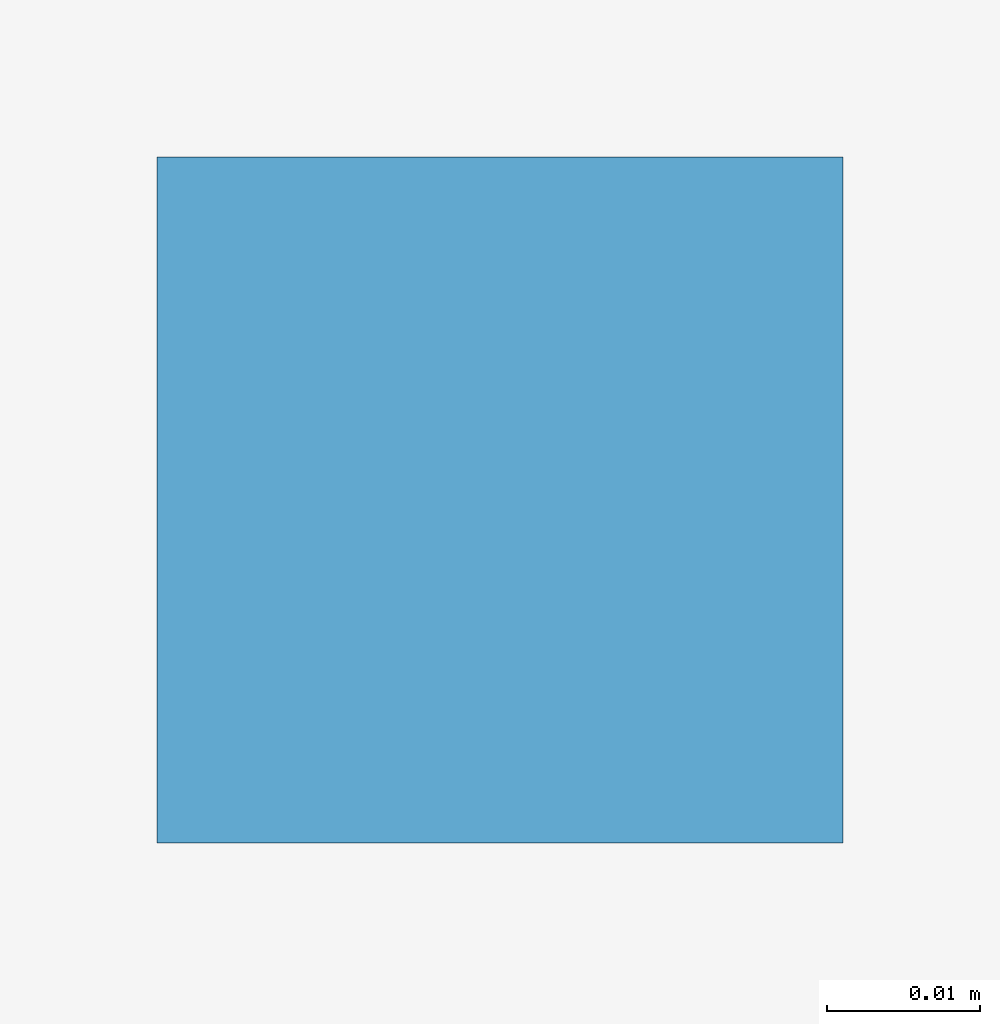
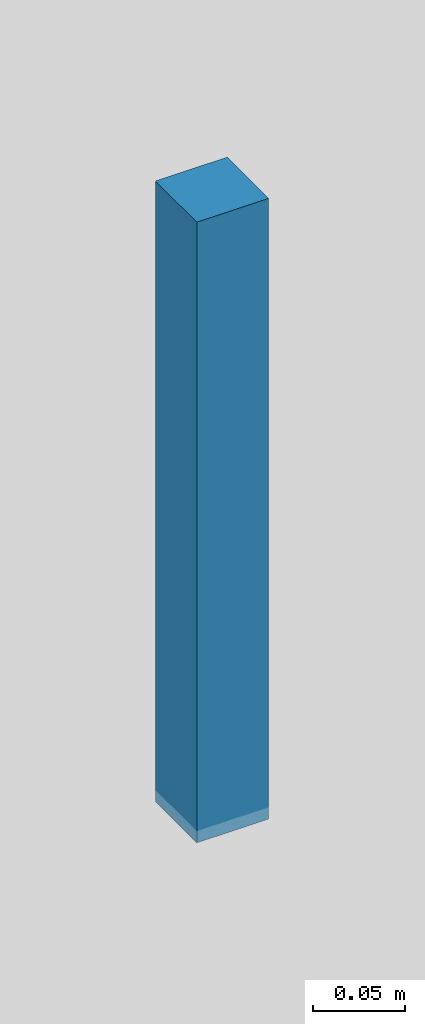
# One storey, part 70 of 85: 1 discrete accessory.
"""IFC4 building model written with IfcOpenShell, lengths in metres."""

import ifcopenshell
import ifcopenshell.guid

model = None  # the IFC model being written
_history = None  # IfcOwnerHistory: only IFC2X3 demands one
_inside = {}  # id of a spatial element -> (the spatial element, [elements in it])
_under = {}  # id of a project, library or spatial element -> (it, [spatial elements below it])
_declared = {}  # id of a project -> (the project, [libraries it declares])
_typed = {}  # id of a type object -> (the type object, [elements of that type])
_made_of = {}  # id of a material, layer set ... -> (it, [elements and type objects made of it])


def new_model(schema):
    """Start an empty IFC model of exactly this schema.

    Asked for "IFC4X3", IfcOpenShell would pick the latest addendum, in which some entities
    have other attributes; the version numbers below select the first issue.
    IFC2X3 requires an IfcOwnerHistory on every rooted entity: one is made here for all.
    """
    global model, _history
    if schema == "IFC4X3":
        model = ifcopenshell.file(schema_version=(4, 3, 0, 0))
    else:
        model = ifcopenshell.file(schema=schema)
    _inside.clear()
    _under.clear()
    _declared.clear()
    _typed.clear()
    _made_of.clear()
    _history = None
    if model.schema == "IFC2X3":
        org = make("IfcOrganization", Name="unknown")
        user = make(
            "IfcPersonAndOrganization",
            ThePerson=make("IfcPerson", FamilyName="unknown"),
            TheOrganization=org,
        )
        app = make(
            "IfcApplication",
            ApplicationDeveloper=org,
            Version="unknown",
            ApplicationFullName="unknown",
            ApplicationIdentifier="unknown",
        )
        _history = make(
            "IfcOwnerHistory",
            OwningUser=user,
            OwningApplication=app,
            ChangeAction="ADDED",
            CreationDate=0,
        )
    return model


def make(cls, **values):
    """One entity of the class cls with the attributes given. An attribute that is None is left unset."""
    return model.create_entity(
        cls, **{name: value for name, value in values.items() if value is not None}
    )


def rooted(cls, **values):
    """An entity with a GlobalId (a new one), such as an element, a storey or a relation."""
    return make(cls, GlobalId=ifcopenshell.guid.new(), OwnerHistory=_history, **values)


def si_unit(unit_type, name, prefix=None):
    """IfcSIUnit, for example si_unit("LENGTHUNIT", "METRE", prefix="MILLI")."""
    return make("IfcSIUnit", UnitType=unit_type, Prefix=prefix, Name=name)


def derived_unit(unit_type, elements):
    """IfcDerivedUnit: a product of units, each with its exponent."""
    return make(
        "IfcDerivedUnit",
        Elements=[
            make("IfcDerivedUnitElement", Unit=unit, Exponent=power)
            for unit, power in elements
        ],
        UnitType=unit_type,
    )


def assignment(units):
    """IfcUnitAssignment: the units of a project."""
    return None if units is None else make("IfcUnitAssignment", Units=units)


def point(xyz):
    """IfcCartesianPoint."""
    return None if xyz is None else make("IfcCartesianPoint", Coordinates=xyz)


def direction(xyz):
    """IfcDirection."""
    return None if xyz is None else make("IfcDirection", DirectionRatios=xyz)


def frame(location, z_axis=None, x_axis=None):
    """IfcAxis2Placement3D, a coordinate frame: its origin and axes. An axis left out is left unset."""
    return make(
        "IfcAxis2Placement3D",
        Location=point(location),
        Axis=direction(z_axis),
        RefDirection=direction(x_axis),
    )


def frame_2d(location, x_axis=None):
    """IfcAxis2Placement2D, a coordinate frame in the plane: its origin and x axis."""
    return make(
        "IfcAxis2Placement2D", Location=point(location), RefDirection=direction(x_axis)
    )


def origin():
    """The frame at (0, 0, 0) with its axes left unset."""
    return frame((0.0, 0.0, 0.0))


def origin_2d():
    """The frame at (0, 0) in the plane with its x axis left unset."""
    return frame_2d((0.0, 0.0))


def place(relative_to, where):
    """IfcLocalPlacement: puts the frame where relative to a parent placement (None: the world)."""
    return make(
        "IfcLocalPlacement", PlacementRelTo=relative_to, RelativePlacement=where
    )


def context(
    kind, dimensions, precision=None, world=None, true_north=None, identifier=None
):
    """IfcGeometricRepresentationContext, for example the 3D "Model" context."""
    return make(
        "IfcGeometricRepresentationContext",
        ContextIdentifier=identifier,
        ContextType=kind,
        CoordinateSpaceDimension=dimensions,
        Precision=precision,
        WorldCoordinateSystem=world,
        TrueNorth=true_north,
    )


def subcontext(parent, identifier, kind, view, scale=None):
    """IfcGeometricRepresentationSubContext, for example "Body" below "Model"."""
    return make(
        "IfcGeometricRepresentationSubContext",
        ContextIdentifier=identifier,
        ContextType=kind,
        ParentContext=parent,
        TargetScale=scale,
        TargetView=view,
    )


def project(units=None, contexts=None):
    """IfcProject with its units and contexts."""
    return rooted(
        "IfcProject",
        Name="project",
        RepresentationContexts=contexts,
        UnitsInContext=assignment(units),
    )


def spatial(cls, under=None, at=None, **own):
    """A site, building, storey or space (cls), placed at a placement, below another one or the project."""
    s = rooted(cls, ObjectPlacement=at, **own)
    if under is not None:
        _under.setdefault(under.id(), (under, []))[1].append(s)
    return s


def profile(cls, at=None, kind="AREA", **sizes):
    """A parametric profile (cls). Its sizes go by their IFC names, for example OverallWidth=200.0."""
    return make(cls, ProfileType=kind, Position=at, **sizes)


def rectangle(**sizes):
    """IfcRectangleProfileDef."""
    return profile("IfcRectangleProfileDef", **sizes)


def extrude(swept, where, along, depth):
    """IfcExtrudedAreaSolid: the profile swept, set in the frame where, extruded along a direction by depth."""
    return make(
        "IfcExtrudedAreaSolid",
        SweptArea=swept,
        Position=where,
        ExtrudedDirection=direction(along),
        Depth=depth,
    )


def shape(context_of_items, identifier, shape_type, items):
    """IfcShapeRepresentation: the items that make up one representation, for example the "Body"."""
    return make(
        "IfcShapeRepresentation",
        ContextOfItems=context_of_items,
        RepresentationIdentifier=identifier,
        RepresentationType=shape_type,
        Items=items,
    )


def material(Name=None, Category=None):
    """IfcMaterial."""
    return make("IfcMaterial", Name=Name, Category=Category)


def made_of(thing, what):
    """Note that an element or type object is made of a material, layer set ...; save() writes the relation."""
    if what is not None:
        _made_of.setdefault(what.id(), (what, []))[1].append(thing)
    return thing


def type_object(cls, material=None, **own):
    """A type object (cls), such as IfcWallType, which elements share."""
    return made_of(rooted(cls, **own), material)


def element(
    cls,
    number,
    at=None,
    inside=None,
    cuts=None,
    type_object=None,
    material=None,
    context=None,
    identifier="Body",
    shape_type=None,
    held_by="IfcProductDefinitionShape",
    body=None,
    shapes=None,
    **own,
):
    """One element of the class cls, such as IfcWall. Its Tag is "e" and its number.

    at: its placement. inside: the storey or other place that contains it. cuts: it is an
    opening in that element (IfcRelVoidsElement). A single representation is given by context,
    identifier, shape_type and body (its items); several are given by shapes. held_by: the class
    of the entity that holds the representations. save() writes the other relations.
    """
    e = rooted(cls, Tag="e%d" % number, ObjectPlacement=at, **own)
    if body is not None:
        shapes = [shape(context, identifier, shape_type, body)]
    if shapes is not None:
        e.Representation = make(held_by, Representations=shapes)
    if inside is not None:
        _inside.setdefault(inside.id(), (inside, []))[1].append(e)
    if cuts is not None:
        rooted(
            "IfcRelVoidsElement", RelatingBuildingElement=cuts, RelatedOpeningElement=e
        )
    if type_object is not None:
        _typed.setdefault(type_object.id(), (type_object, []))[1].append(e)
    return made_of(e, material)


def aggregate(whole, parts):
    """IfcRelAggregates: a whole, such as a stair, and the parts it consists of."""
    return rooted("IfcRelAggregates", RelatingObject=whole, RelatedObjects=parts)


def save(model, path):
    """Write the relations noted so far, then the file.

    IfcRelAggregates (storeys below a building ...), IfcRelContainedInSpatialStructure (elements
    in a storey), IfcRelDefinesByType, IfcRelAssociatesMaterial and IfcRelDeclares: one each for
    every whole, place, type object, material and project.
    """
    for whole, parts in _under.values():
        aggregate(whole, parts)
    for where, things in _inside.values():
        rooted(
            "IfcRelContainedInSpatialStructure",
            RelatedElements=things,
            RelatingStructure=where,
        )
    for kind, things in _typed.values():
        rooted("IfcRelDefinesByType", RelatedObjects=things, RelatingType=kind)
    for what, things in _made_of.values():
        rooted("IfcRelAssociatesMaterial", RelatedObjects=things, RelatingMaterial=what)
    for by, libraries in _declared.values():
        rooted("IfcRelDeclares", RelatingContext=by, RelatedDefinitions=libraries)
    model.write(path)


model = new_model("IFC4")

# Units and contexts
model_context = context("Model", 3, precision=1e-05, world=origin(), true_north=direction((0.0, 1.0)))
body_context = subcontext(model_context, "Body", "Model", "MODEL_VIEW")
ifc_project = project(units=[si_unit("LENGTHUNIT", "METRE"), si_unit("AREAUNIT", "SQUARE_METRE"), si_unit("VOLUMEUNIT", "CUBIC_METRE"), si_unit("PLANEANGLEUNIT", "RADIAN"), si_unit("MASSUNIT", "GRAM", prefix="KILO"), derived_unit("THERMALTRANSMITTANCEUNIT", [(si_unit("POWERUNIT", "WATT"), 1), (si_unit("LENGTHUNIT", "METRE"), -2), (si_unit("THERMODYNAMICTEMPERATUREUNIT", "KELVIN"), -1)])], contexts=[model_context])

# Site, building, storey
site_placement = place(None, origin())
site = spatial("IfcSite", under=ifc_project, at=site_placement, CompositionType="ELEMENT")
building_placement = place(site_placement, origin())
building = spatial("IfcBuilding", under=site, at=building_placement, Name="Braskholm Square Health Centre", CompositionType="ELEMENT")
storey_placement = place(building_placement, frame((0.0, 0.0, 9.300048828125)))
storey = spatial("IfcBuildingStorey", under=building, at=storey_placement, Name="L03", CompositionType="ELEMENT", Elevation=9.300048828125)

# Discrete accessory
ifc_material = material(Name="Steel ASTM A500 Grade C", Category="steel")
discrete_accessory_type = type_object("IfcDiscreteAccessoryType", Name="CeilingSuspensionBracket", PredefinedType="BRACKET", material=ifc_material)
discrete_accessory_placement = place(storey_placement, frame((132.800048828125, 91.75, 3.5517578125), z_axis=(0.0, 0.0, 1.0), x_axis=(1.0, 0.0, 0.0)))
element("IfcDiscreteAccessory", 1, at=discrete_accessory_placement, inside=storey, type_object=discrete_accessory_type, Name="Ceiling hanger bracket 0164", PredefinedType="BRACKET", context=body_context, shape_type="SweptSolid", body=[
    extrude(rectangle(XDim=0.044921875, YDim=0.044921875, at=origin_2d()), origin(), (0.0, 0.0, 1.0), 0.409912109375),
])

save(model, "model.ifc")
